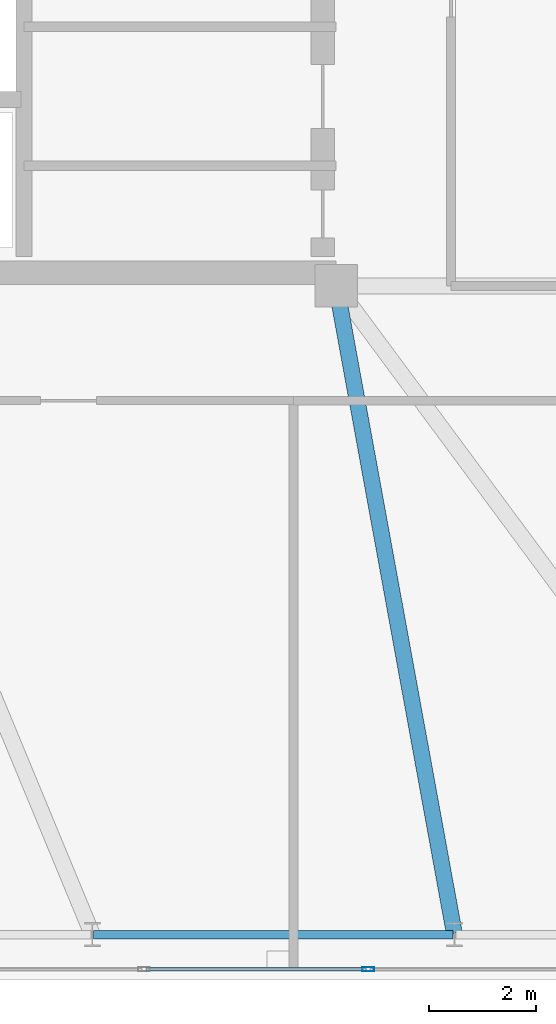
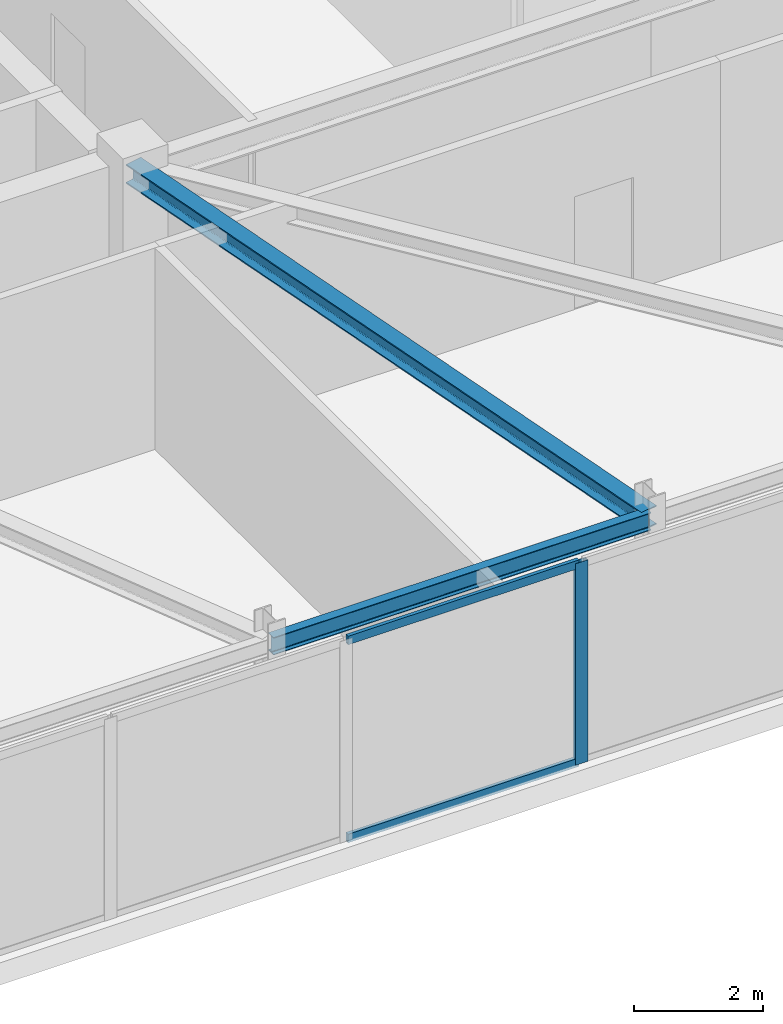
# One storey, part 5 of 27: 3 members, 2 beams, 1 element without a shape of its own.
"""IFC4 building model written with IfcOpenShell, lengths in metres."""

from ifc_helpers import new_model, si_unit, direction, frame, origin, origin_2d, place, context, subcontext, project, spatial, hollow_rectangle, i_section, extrude, material, layer, layer_set, material_profile, profile_set, type_object, element, aggregate, save


model = new_model("IFC4")

# Units and contexts
model_context = context("Model", 3, precision=1e-05, world=origin(), true_north=direction((0.0, 1.0)))
body_context = subcontext(model_context, "Body", "Model", "MODEL_VIEW")
ifc_project = project(units=[si_unit("LENGTHUNIT", "METRE"), si_unit("AREAUNIT", "SQUARE_METRE"), si_unit("VOLUMEUNIT", "CUBIC_METRE"), si_unit("PLANEANGLEUNIT", "RADIAN"), si_unit("MASSUNIT", "GRAM", prefix="KILO")], contexts=[model_context])

# Site, building, storey
site_placement = place(None, origin())
site = spatial("IfcSite", under=ifc_project, at=site_placement, CompositionType="ELEMENT")
building_placement = place(site_placement, origin())
building = spatial("IfcBuilding", under=site, at=building_placement, Name="Qobustan Lattice House", CompositionType="ELEMENT")
storey_placement = place(building_placement, frame((0.0, 0.0, 266.0)))
storey = spatial("IfcBuildingStorey", under=building, at=storey_placement, Name="L75", CompositionType="ELEMENT", Elevation=266.0)

# Beams
ifc_material_1 = material(Name="Steel S355", Category="steel")
ifc_material_profile_1 = material_profile(ifc_material_1, i_section(OverallWidth=0.300048828125, OverallDepth=0.360107421875, WebThickness=0.012451171875, FlangeThickness=0.0224609375, FilletRadius=0.027099609375, at=origin_2d()), Name="HEB360")
ifc_profile_set_1 = profile_set([ifc_material_profile_1], Name="Steel S355")
beam_type_1 = type_object("IfcBeamType", Name="BM-FLG-HEB360", PredefinedType="USERDEFINED", material=ifc_profile_set_1)
beam_1_placement = place(storey_placement, frame((-6.98779296875, -17.725341796875, 3.6201171875), z_axis=(-0.179484493831, 0.983760802469, 0.0), x_axis=(-0.983760802469, -0.179484493831, 0.0)))
element("IfcBeam", 1, at=beam_1_placement, inside=storey, type_object=beam_type_1, Name="L75 primary floor girder RAD-S3", ObjectType="GIRDER", PredefinedType="USERDEFINED", context=body_context, shape_type="SweptSolid", body=[
    extrude(i_section(OverallWidth=0.300048828125, OverallDepth=0.360107421875, WebThickness=0.012451171875, FlangeThickness=0.0224609375, FilletRadius=0.027099609375, at=origin_2d()), origin(), (0.0, 0.0, 1.0), 12.300537109375),
])
ifc_material_2 = material(Name="Steel S355", Category="steel")
ifc_material_profile_2 = material_profile(ifc_material_2, i_section(OverallWidth=0.159912109375, OverallDepth=0.330078125, WebThickness=0.007568359375, FlangeThickness=0.011474609375, FilletRadius=0.01806640625, at=origin_2d()), Name="IPE330")
ifc_profile_set_2 = profile_set([ifc_material_profile_2], Name="Steel S355")
beam_type_2 = type_object("IfcBeamType", Name="BM-SPD-IPE330", PredefinedType="SPANDREL", material=ifc_profile_set_2)
beam_2_placement = place(storey_placement, frame((-13.74169921875, -17.75, 3.635009765625), z_axis=(1.0, 0.0, 0.0), x_axis=(0.0, 1.0, 0.0)))
element("IfcBeam", 2, at=beam_2_placement, inside=storey, type_object=beam_type_2, Name="L75 perimeter spandrel S2-S3", PredefinedType="SPANDREL", context=body_context, shape_type="SweptSolid", body=[
    extrude(i_section(OverallWidth=0.159912109375, OverallDepth=0.330078125, WebThickness=0.007568359375, FlangeThickness=0.011474609375, FilletRadius=0.01806640625, at=origin_2d()), origin(), (0.0, 0.0, 1.0), 6.7333984375),
])

# Curtain wall, members
ifc_material_3 = material(Name="Anodised aluminium and low-E glazing", Category="aluminium")
ifc_layer = layer(ifc_material_3, 0.219970703125)
ifc_layer_set = layer_set([ifc_layer], Name="Anodised aluminium and low-E glazing")
curtain_wall_type = type_object("IfcCurtainWallType", Name="CW-OBS-01", PredefinedType="USERDEFINED", material=ifc_layer_set)
curtain_wall_placement = place(storey_placement, origin())
curtain_wall = element("IfcCurtainWall", 3, at=curtain_wall_placement, inside=storey, type_object=curtain_wall_type, Name="L75 S panoramic observation curtain wall", ObjectType="CURTAIN WALL", PredefinedType="USERDEFINED")
ifc_material_4 = material(Name="Anodised aluminium EN AW-6063 T6", Category="aluminium")
ifc_material_profile_3 = material_profile(ifc_material_4, hollow_rectangle(XDim=0.080078125, YDim=0.219970703125, WallThickness=0.0048828125, at=origin_2d()), Name="CWM-220x80")
ifc_profile_set_3 = profile_set([ifc_material_profile_3], Name="Anodised aluminium EN AW-6063 T6")
member_type_1 = type_object("IfcMemberType", Name="CWM-MAIN-220", PredefinedType="MULLION", material=ifc_profile_set_3)
member_1_placement = place(storey_placement, frame((-8.60009765625, -18.39990234375, 0.0), z_axis=(0.0, 0.0, 1.0), x_axis=(0.0, -1.0, 0.0)))
member_1 = element("IfcMember", 4, at=member_1_placement, type_object=member_type_1, Name="CW-OB mullion 8", PredefinedType="MULLION", context=body_context, shape_type="SweptSolid", body=[
    extrude(hollow_rectangle(XDim=0.080078125, YDim=0.219970703125, WallThickness=0.0048828125, at=origin_2d()), origin(), (0.0, 0.0, 1.0), 3.800048828125),
])
ifc_material_5 = material(Name="Anodised aluminium EN AW-6063 T6", Category="aluminium")
ifc_material_profile_4 = material_profile(ifc_material_5, hollow_rectangle(XDim=0.06494140625, YDim=0.159912109375, WallThickness=0.00390625, at=origin_2d()), Name="CWT-160x65")
ifc_profile_set_4 = profile_set([ifc_material_profile_4], Name="Anodised aluminium EN AW-6063 T6")
member_type_2 = type_object("IfcMemberType", Name="CWT-HOR-160", PredefinedType="USERDEFINED", material=ifc_profile_set_4)
member_2_placement = place(storey_placement, frame((-8.639892578125, -18.39990234375, 0.032470703125), z_axis=(-1.0, 0.0, 0.0), x_axis=(0.0, -1.0, 0.0)))
member_2 = element("IfcMember", 5, at=member_2_placement, type_object=member_type_2, Name="CW-OB transom 8.1", ObjectType="TRANSOM", PredefinedType="USERDEFINED", context=body_context, shape_type="SweptSolid", body=[
    extrude(hollow_rectangle(XDim=0.06494140625, YDim=0.159912109375, WallThickness=0.00390625, at=origin_2d()), origin(), (0.0, 0.0, 1.0), 4.1201171875),
])
member_3_placement = place(storey_placement, frame((-8.639892578125, -18.39990234375, 3.767578125), z_axis=(-1.0, 0.0, 0.0), x_axis=(0.0, -1.0, 0.0)))
member_3 = element("IfcMember", 6, at=member_3_placement, type_object=member_type_2, Name="CW-OB transom 8.2", ObjectType="TRANSOM", PredefinedType="USERDEFINED", context=body_context, shape_type="SweptSolid", body=[
    extrude(hollow_rectangle(XDim=0.06494140625, YDim=0.159912109375, WallThickness=0.00390625, at=origin_2d()), origin(), (0.0, 0.0, 1.0), 4.1201171875),
])
aggregate(curtain_wall, [member_1, member_2, member_3])

save(model, "model.ifc")
